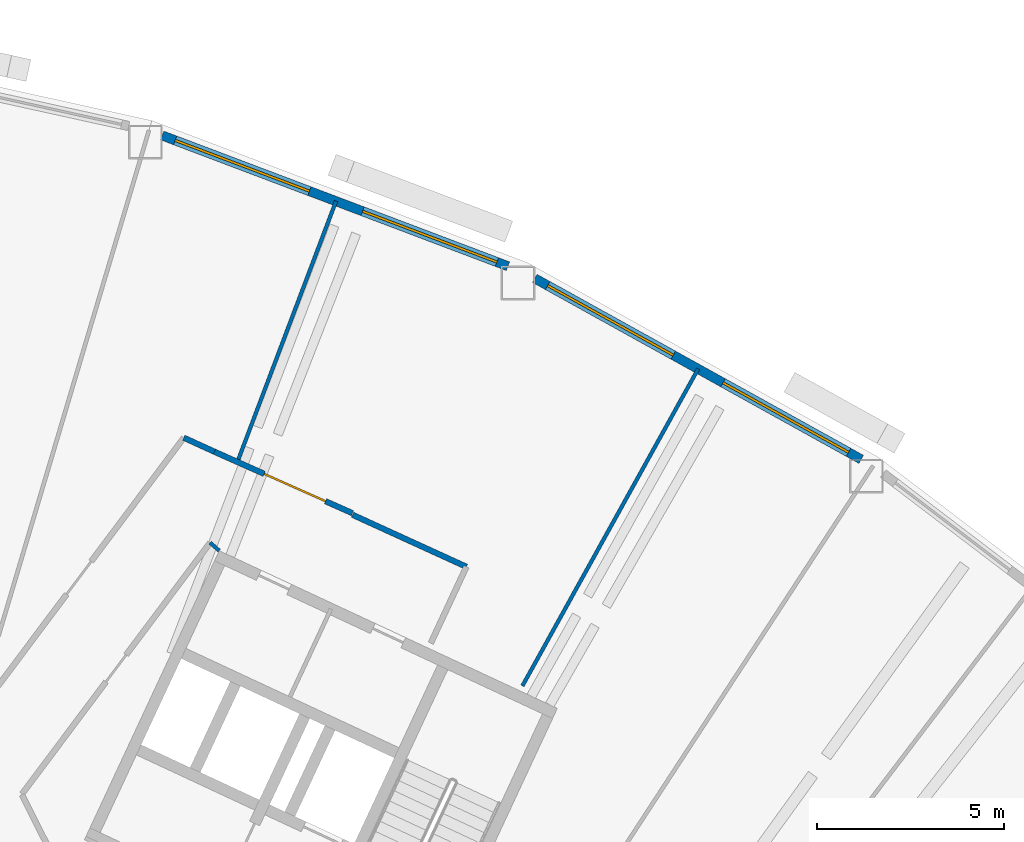
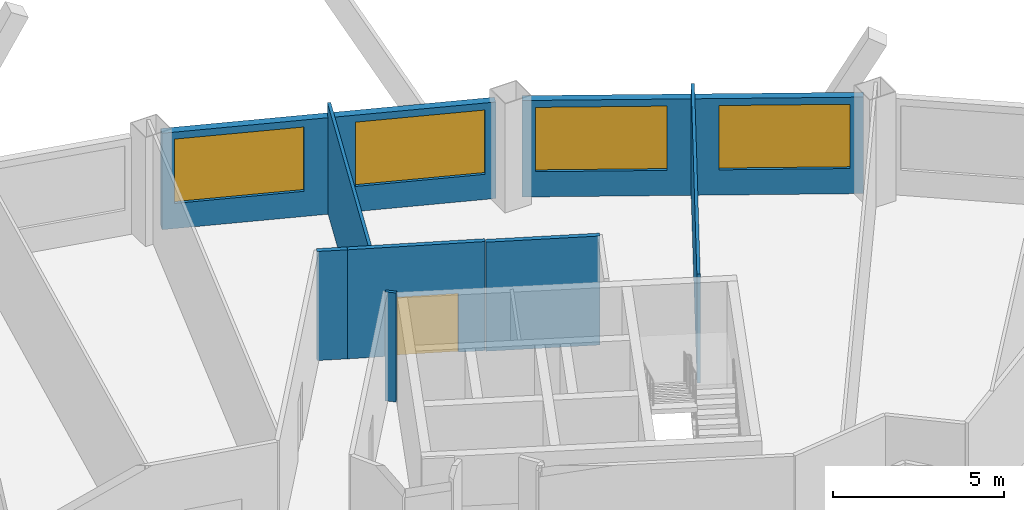
# One storey, part 11 of 14: 8 walls, 4 windows, 1 door, 5 openings.
"""IFC4 building model written with IfcOpenShell, lengths in metres."""

from ifc_helpers import new_model, si_unit, direction, frame, frame_2d, origin, place, context, subcontext, project, spatial, rectangle, extrude, material, layer, layer_set, type_object, element, fill, save


model = new_model("IFC4")

# Units and contexts
model_context = context("Model", 3, precision=1e-05, world=origin(), true_north=direction((0.0, 1.0)))
body_context = subcontext(model_context, "Body", "Model", "MODEL_VIEW")
ifc_project = project(units=[si_unit("LENGTHUNIT", "METRE"), si_unit("AREAUNIT", "SQUARE_METRE"), si_unit("VOLUMEUNIT", "CUBIC_METRE"), si_unit("PLANEANGLEUNIT", "RADIAN"), si_unit("MASSUNIT", "GRAM", prefix="KILO")], contexts=[model_context])

# Site, building, storey
site_placement = place(None, origin())
site = spatial("IfcSite", under=ifc_project, at=site_placement, CompositionType="ELEMENT")
building_placement = place(site_placement, origin())
building = spatial("IfcBuilding", under=site, at=building_placement, Name="Tuul Gate Civic Tower", CompositionType="ELEMENT")
storey_placement = place(building_placement, frame((0.0, 0.0, 209.5)))
storey = spatial("IfcBuildingStorey", under=building, at=storey_placement, Name="Level 47", CompositionType="ELEMENT", Elevation=209.5)

# Walls
ifc_material_1 = material(Name="Gypsum board partition")
ifc_layer_1 = layer(ifc_material_1, 0.14990234375)
ifc_layer_set_1 = layer_set([ifc_layer_1], Name="Gypsum board partition")
wall_type_1 = type_object("IfcWallType", Name="Corridor wall P150", PredefinedType="PARTITIONING", material=ifc_layer_set_1)
wall_1_placement = place(storey_placement, frame((28.04443359375, 7.57177734375, 0.0), z_axis=(0.0, 0.0, 1.0), x_axis=(0.909641264779, -0.415394715194, 0.0)))
element("IfcWall", 1, at=wall_1_placement, inside=storey, type_object=wall_type_1, Name="p022", PredefinedType="PARTITIONING", context=body_context, shape_type="SweptSolid", body=[
    extrude(rectangle(XDim=0.90087890625, YDim=0.14990234375, at=frame_2d((0.450439453125, 0.0))), origin(), (0.0, 0.0, 1.0), 3.89990234375),
])
wall_2_placement = place(storey_placement, frame((32.568115234375, 5.505859375, 0.0), z_axis=(0.0, 0.0, 1.0), x_axis=(0.909622241546, -0.415436370199, 0.0)))
element("IfcWall", 2, at=wall_2_placement, inside=storey, type_object=wall_type_1, Name="p023", PredefinedType="PARTITIONING", context=body_context, shape_type="SweptSolid", body=[
    extrude(rectangle(XDim=3.3544921875, YDim=0.14990234375, at=frame_2d((1.67724609375, 0.0))), origin(), (0.0, 0.0, 1.0), 3.89990234375),
])

# Wall, opening, door
wall_3_placement = place(storey_placement, frame((28.8642578125, 7.197509765625, 0.0), z_axis=(0.0, 0.0, 1.0), x_axis=(0.91338364902, -0.407099876816, 0.0)))
wall_3 = element("IfcWall", 3, at=wall_3_placement, inside=storey, type_object=wall_type_1, Name="p024", PredefinedType="PARTITIONING", context=body_context, shape_type="SweptSolid", body=[
    extrude(rectangle(XDim=4.051513671875, YDim=0.14990234375, at=frame_2d((2.02587890625, 0.0))), origin(), (0.0, 0.0, 1.0), 3.89990234375),
])
opening_1_placement = place(wall_3_placement, frame((1.4638671875, 0.0, 0.0)))
opening_1 = element("IfcOpeningElement", 4, at=opening_1_placement, cuts=wall_3, Name="Opening Q-D05", PredefinedType="OPENING", context=body_context, shape_type="SweptSolid", body=[
    extrude(rectangle(XDim=1.800048828125, YDim=2.10009765625, at=frame_2d((0.89990234375, 1.050048828125))), frame((0.0, 0.0849609375, 0.0), z_axis=(0.0, -1.0, 0.0), x_axis=(1.0, 0.0, 0.0)), (0.0, 0.0, 1.0), 0.169921875),
])
ifc_material_2 = material(Name="Timber door leaf, double", Category="wood")
door_type = type_object("IfcDoorType", Name="Door D18", OperationType="DOUBLE_DOOR_SINGLE_SWING", PredefinedType="DOOR", material=ifc_material_2)
door_placement = place(opening_1_placement, origin())
door = element("IfcDoor", 5, at=door_placement, inside=storey, type_object=door_type, Name="Door Q-D05", OperationType="DOUBLE_DOOR_SINGLE_SWING", OverallHeight=2.10009765625, OverallWidth=1.800048828125, PredefinedType="DOOR", context=body_context, shape_type="SweptSolid", body=[
    extrude(rectangle(XDim=1.800048828125, YDim=2.10009765625, at=frame_2d((0.89990234375, 1.050048828125))), frame((0.0, 0.02490234375, 0.0), z_axis=(0.0, -1.0, 0.0), x_axis=(1.0, 0.0, 0.0)), (0.0, 0.0, 1.0), 0.050048828125),
])
fill(opening_1, door)

# Wall, openings, windows
ifc_material_3 = material(Name="Precast concrete C40/50", Category="concrete")
ifc_layer_2 = layer(ifc_material_3, 0.25)
ifc_layer_set_2 = layer_set([ifc_layer_2], Name="Precast concrete C40/50")
wall_type_2 = type_object("IfcWallType", Name="External wall", PredefinedType="STANDARD", material=ifc_layer_set_2)
wall_4_placement = place(storey_placement, frame((46.201171875, 6.992919921875, 0.0), z_axis=(0.0, 0.0, 1.0), x_axis=(-0.874625464024, 0.484799234405, 0.0)))
wall_4 = element("IfcWall", 6, at=wall_4_placement, inside=storey, type_object=wall_type_2, Name="External wall", PredefinedType="STANDARD", context=body_context, shape_type="SweptSolid", body=[
    extrude(rectangle(XDim=10.00244140625, YDim=0.25, at=frame_2d((5.001220703125, 0.0))), origin(), (0.0, 0.0, 1.0), 3.449951171875),
])
opening_2_placement = place(wall_4_placement, frame((0.38671875, 0.0, 0.89990234375)))
opening_2 = element("IfcOpeningElement", 7, at=opening_2_placement, cuts=wall_4, Name="Opening W22", PredefinedType="OPENING", context=body_context, shape_type="SweptSolid", body=[
    extrude(rectangle(XDim=3.85009765625, YDim=2.300048828125, at=frame_2d((1.925048828125, 1.14990234375))), frame((0.0, 0.135009765625, 0.0), z_axis=(0.0, -1.0, 0.0), x_axis=(1.0, 0.0, 0.0)), (0.0, 0.0, 1.0), 0.27001953125),
])
opening_3_placement = place(wall_4_placement, frame((5.758056640625, 0.0, 0.89990234375)))
opening_3 = element("IfcOpeningElement", 8, at=opening_3_placement, cuts=wall_4, Name="Opening W22", PredefinedType="OPENING", context=body_context, shape_type="SweptSolid", body=[
    extrude(rectangle(XDim=3.85009765625, YDim=2.300048828125, at=frame_2d((1.925048828125, 1.14990234375))), frame((0.0, 0.135009765625, 0.0), z_axis=(0.0, -1.0, 0.0), x_axis=(1.0, 0.0, 0.0)), (0.0, 0.0, 1.0), 0.27001953125),
])
ifc_material_4 = material(Name="Glass", Category="glass")
window_type = type_object("IfcWindowType", Name="Window W22 3850 x 2300", PartitioningType="SINGLE_PANEL", PredefinedType="WINDOW", material=ifc_material_4)
window_1_placement = place(opening_2_placement, origin())
window_1 = element("IfcWindow", 9, at=window_1_placement, inside=storey, type_object=window_type, Name="Window", OverallHeight=2.300048828125, OverallWidth=3.85009765625, PartitioningType="SINGLE_PANEL", PredefinedType="WINDOW", context=body_context, shape_type="SweptSolid", body=[
    extrude(rectangle(XDim=3.85009765625, YDim=2.300048828125, at=frame_2d((1.925048828125, 1.14990234375))), frame((0.0, 0.030029296875, 0.0), z_axis=(0.0, -1.0, 0.0), x_axis=(1.0, 0.0, 0.0)), (0.0, 0.0, 1.0), 0.06005859375),
])
fill(opening_2, window_1)
window_2_placement = place(opening_3_placement, origin())
window_2 = element("IfcWindow", 10, at=window_2_placement, inside=storey, type_object=window_type, Name="Window", OverallHeight=2.300048828125, OverallWidth=3.85009765625, PartitioningType="SINGLE_PANEL", PredefinedType="WINDOW", context=body_context, shape_type="SweptSolid", body=[
    extrude(rectangle(XDim=3.85009765625, YDim=2.300048828125, at=frame_2d((1.925048828125, 1.14990234375))), frame((0.0, 0.030029296875, 0.0), z_axis=(0.0, -1.0, 0.0), x_axis=(1.0, 0.0, 0.0)), (0.0, 0.0, 1.0), 0.06005859375),
])
fill(opening_3, window_2)

wall_5_placement = place(storey_placement, frame((36.733642578125, 12.1689453125, 0.0), z_axis=(0.0, 0.0, 1.0), x_axis=(-0.935369774389, 0.353671295358, 0.0)))
wall_5 = element("IfcWall", 11, at=wall_5_placement, inside=storey, type_object=wall_type_2, Name="External wall", PredefinedType="STANDARD", context=body_context, shape_type="SweptSolid", body=[
    extrude(rectangle(XDim=9.907958984375, YDim=0.25, at=frame_2d((4.9541015625, 0.0))), origin(), (0.0, 0.0, 1.0), 3.449951171875),
])
opening_4_placement = place(wall_5_placement, frame((0.31689453125, 0.0, 0.89990234375)))
opening_4 = element("IfcOpeningElement", 12, at=opening_4_placement, cuts=wall_5, Name="Opening W22", PredefinedType="OPENING", context=body_context, shape_type="SweptSolid", body=[
    extrude(rectangle(XDim=3.85009765625, YDim=2.300048828125, at=frame_2d((1.925048828125, 1.14990234375))), frame((0.0, 0.135009765625, 0.0), z_axis=(0.0, -1.0, 0.0), x_axis=(1.0, 0.0, 0.0)), (0.0, 0.0, 1.0), 0.27001953125),
])
opening_5_placement = place(wall_5_placement, frame((5.68798828125, 0.0, 0.89990234375)))
opening_5 = element("IfcOpeningElement", 13, at=opening_5_placement, cuts=wall_5, Name="Opening W22", PredefinedType="OPENING", context=body_context, shape_type="SweptSolid", body=[
    extrude(rectangle(XDim=3.85009765625, YDim=2.300048828125, at=frame_2d((1.925048828125, 1.14990234375))), frame((0.0, 0.135009765625, 0.0), z_axis=(0.0, -1.0, 0.0), x_axis=(1.0, 0.0, 0.0)), (0.0, 0.0, 1.0), 0.27001953125),
])
window_3_placement = place(opening_4_placement, origin())
window_3 = element("IfcWindow", 14, at=window_3_placement, inside=storey, type_object=window_type, Name="Window", OverallHeight=2.300048828125, OverallWidth=3.85009765625, PartitioningType="SINGLE_PANEL", PredefinedType="WINDOW", context=body_context, shape_type="SweptSolid", body=[
    extrude(rectangle(XDim=3.85009765625, YDim=2.300048828125, at=frame_2d((1.925048828125, 1.14990234375))), frame((0.0, 0.030029296875, 0.0), z_axis=(0.0, -1.0, 0.0), x_axis=(1.0, 0.0, 0.0)), (0.0, 0.0, 1.0), 0.06005859375),
])
fill(opening_4, window_3)
window_4_placement = place(opening_5_placement, origin())
window_4 = element("IfcWindow", 15, at=window_4_placement, inside=storey, type_object=window_type, Name="Window", OverallHeight=2.300048828125, OverallWidth=3.85009765625, PartitioningType="SINGLE_PANEL", PredefinedType="WINDOW", context=body_context, shape_type="SweptSolid", body=[
    extrude(rectangle(XDim=3.85009765625, YDim=2.300048828125, at=frame_2d((1.925048828125, 1.14990234375))), frame((0.0, 0.030029296875, 0.0), z_axis=(0.0, -1.0, 0.0), x_axis=(1.0, 0.0, 0.0)), (0.0, 0.0, 1.0), 0.06005859375),
])
fill(opening_5, window_4)

# Walls
ifc_material_5 = material(Name="Gypsum board partition")
ifc_layer_3 = layer(ifc_material_5, 0.10009765625)
ifc_layer_set_3 = layer_set([ifc_layer_3], Name="Gypsum board partition")
wall_type_3 = type_object("IfcWallType", Name="Partition P100", PredefinedType="PARTITIONING", material=ifc_layer_set_3)
wall_6_placement = place(storey_placement, frame((37.12109375, 0.919921875, 0.0), z_axis=(0.0, 0.0, 1.0), x_axis=(0.484832219847, 0.874607179595, 0.0)))
element("IfcWall", 16, at=wall_6_placement, inside=storey, type_object=wall_type_3, Name="p015", PredefinedType="PARTITIONING", context=body_context, shape_type="SweptSolid", body=[
    extrude(rectangle(XDim=9.71875, YDim=0.10009765625, at=frame_2d((4.859375, 0.0))), origin(), (0.0, 0.0, 1.0), 3.89990234375),
])
wall_7_placement = place(storey_placement, frame((29.481689453125, 6.922119140625, 0.0), z_axis=(0.0, 0.0, 1.0), x_axis=(0.353726903165, 0.935348746713, 0.0)))
element("IfcWall", 17, at=wall_7_placement, inside=storey, type_object=wall_type_3, Name="p020", PredefinedType="PARTITIONING", context=body_context, shape_type="SweptSolid", body=[
    extrude(rectangle(XDim=7.4775390625, YDim=0.10009765625, at=frame_2d((3.73876953125, 0.0))), origin(), (0.0, 0.0, 1.0), 3.89990234375),
])
wall_8_placement = place(storey_placement, frame((28.749267578125, 4.759033203125, 0.0), z_axis=(0.0, 0.0, 1.0), x_axis=(0.75062434449, -0.660729213414, 0.0)))
element("IfcWall", 18, at=wall_8_placement, inside=storey, type_object=wall_type_3, Name="p085", PredefinedType="PARTITIONING", context=body_context, shape_type="SweptSolid", body=[
    extrude(rectangle(XDim=0.325927734375, YDim=0.10009765625, at=frame_2d((0.1630859375, 0.0))), origin(), (0.0, 0.0, 1.0), 3.89990234375),
])

save(model, "model.ifc")
